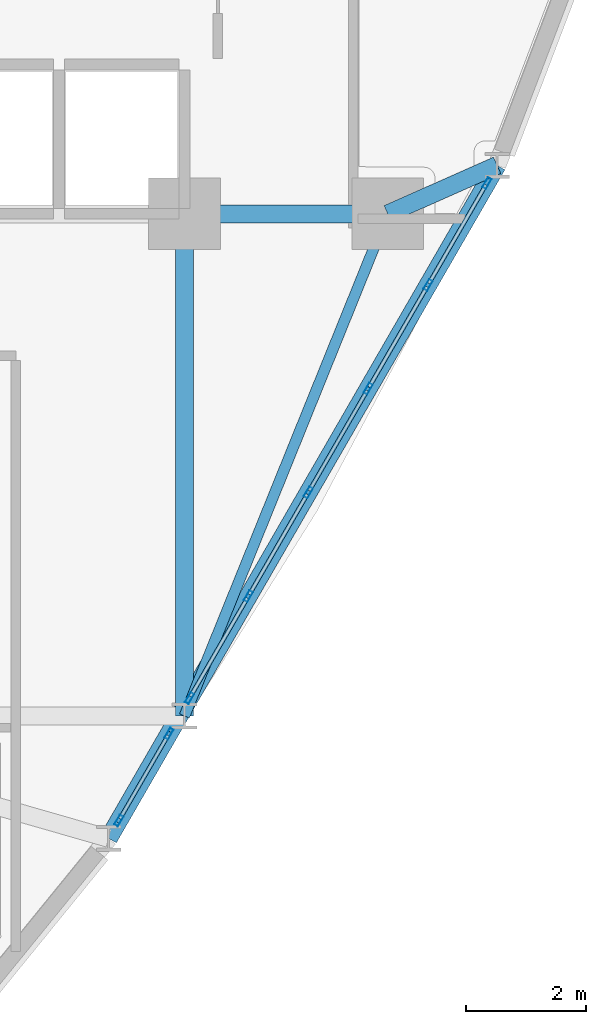
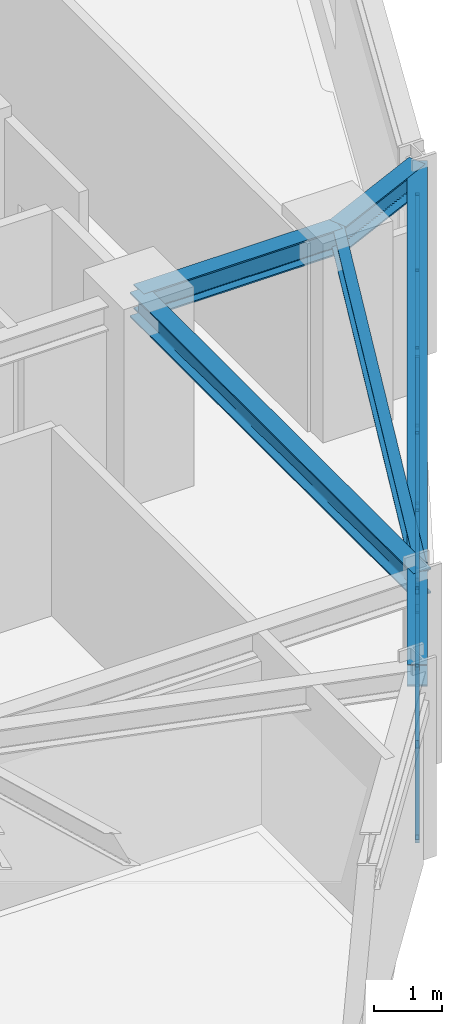
# One storey, part 6 of 15: 22 members, 5 beams, 2 elements without a shape of their own.
"""IFC4 building model written with IfcOpenShell, lengths in metres."""

import ifcopenshell
import ifcopenshell.guid

model = None  # the IFC model being written
_history = None  # IfcOwnerHistory: only IFC2X3 demands one
_inside = {}  # id of a spatial element -> (the spatial element, [elements in it])
_under = {}  # id of a project, library or spatial element -> (it, [spatial elements below it])
_declared = {}  # id of a project -> (the project, [libraries it declares])
_typed = {}  # id of a type object -> (the type object, [elements of that type])
_made_of = {}  # id of a material, layer set ... -> (it, [elements and type objects made of it])


def new_model(schema):
    """Start an empty IFC model of exactly this schema.

    Asked for "IFC4X3", IfcOpenShell would pick the latest addendum, in which some entities
    have other attributes; the version numbers below select the first issue.
    IFC2X3 requires an IfcOwnerHistory on every rooted entity: one is made here for all.
    """
    global model, _history
    if schema == "IFC4X3":
        model = ifcopenshell.file(schema_version=(4, 3, 0, 0))
    else:
        model = ifcopenshell.file(schema=schema)
    _inside.clear()
    _under.clear()
    _declared.clear()
    _typed.clear()
    _made_of.clear()
    _history = None
    if model.schema == "IFC2X3":
        org = make("IfcOrganization", Name="unknown")
        user = make(
            "IfcPersonAndOrganization",
            ThePerson=make("IfcPerson", FamilyName="unknown"),
            TheOrganization=org,
        )
        app = make(
            "IfcApplication",
            ApplicationDeveloper=org,
            Version="unknown",
            ApplicationFullName="unknown",
            ApplicationIdentifier="unknown",
        )
        _history = make(
            "IfcOwnerHistory",
            OwningUser=user,
            OwningApplication=app,
            ChangeAction="ADDED",
            CreationDate=0,
        )
    return model


def make(cls, **values):
    """One entity of the class cls with the attributes given. An attribute that is None is left unset."""
    return model.create_entity(
        cls, **{name: value for name, value in values.items() if value is not None}
    )


def rooted(cls, **values):
    """An entity with a GlobalId (a new one), such as an element, a storey or a relation."""
    return make(cls, GlobalId=ifcopenshell.guid.new(), OwnerHistory=_history, **values)


def si_unit(unit_type, name, prefix=None):
    """IfcSIUnit, for example si_unit("LENGTHUNIT", "METRE", prefix="MILLI")."""
    return make("IfcSIUnit", UnitType=unit_type, Prefix=prefix, Name=name)


def derived_unit(unit_type, elements):
    """IfcDerivedUnit: a product of units, each with its exponent."""
    return make(
        "IfcDerivedUnit",
        Elements=[
            make("IfcDerivedUnitElement", Unit=unit, Exponent=power)
            for unit, power in elements
        ],
        UnitType=unit_type,
    )


def assignment(units):
    """IfcUnitAssignment: the units of a project."""
    return None if units is None else make("IfcUnitAssignment", Units=units)


def point(xyz):
    """IfcCartesianPoint."""
    return None if xyz is None else make("IfcCartesianPoint", Coordinates=xyz)


def direction(xyz):
    """IfcDirection."""
    return None if xyz is None else make("IfcDirection", DirectionRatios=xyz)


def frame(location, z_axis=None, x_axis=None):
    """IfcAxis2Placement3D, a coordinate frame: its origin and axes. An axis left out is left unset."""
    return make(
        "IfcAxis2Placement3D",
        Location=point(location),
        Axis=direction(z_axis),
        RefDirection=direction(x_axis),
    )


def frame_2d(location, x_axis=None):
    """IfcAxis2Placement2D, a coordinate frame in the plane: its origin and x axis."""
    return make(
        "IfcAxis2Placement2D", Location=point(location), RefDirection=direction(x_axis)
    )


def origin():
    """The frame at (0, 0, 0) with its axes left unset."""
    return frame((0.0, 0.0, 0.0))


def origin_2d():
    """The frame at (0, 0) in the plane with its x axis left unset."""
    return frame_2d((0.0, 0.0))


def place(relative_to, where):
    """IfcLocalPlacement: puts the frame where relative to a parent placement (None: the world)."""
    return make(
        "IfcLocalPlacement", PlacementRelTo=relative_to, RelativePlacement=where
    )


def context(
    kind, dimensions, precision=None, world=None, true_north=None, identifier=None
):
    """IfcGeometricRepresentationContext, for example the 3D "Model" context."""
    return make(
        "IfcGeometricRepresentationContext",
        ContextIdentifier=identifier,
        ContextType=kind,
        CoordinateSpaceDimension=dimensions,
        Precision=precision,
        WorldCoordinateSystem=world,
        TrueNorth=true_north,
    )


def subcontext(parent, identifier, kind, view, scale=None):
    """IfcGeometricRepresentationSubContext, for example "Body" below "Model"."""
    return make(
        "IfcGeometricRepresentationSubContext",
        ContextIdentifier=identifier,
        ContextType=kind,
        ParentContext=parent,
        TargetScale=scale,
        TargetView=view,
    )


def project(units=None, contexts=None):
    """IfcProject with its units and contexts."""
    return rooted(
        "IfcProject",
        Name="project",
        RepresentationContexts=contexts,
        UnitsInContext=assignment(units),
    )


def spatial(cls, under=None, at=None, **own):
    """A site, building, storey or space (cls), placed at a placement, below another one or the project."""
    s = rooted(cls, ObjectPlacement=at, **own)
    if under is not None:
        _under.setdefault(under.id(), (under, []))[1].append(s)
    return s


def profile(cls, at=None, kind="AREA", **sizes):
    """A parametric profile (cls). Its sizes go by their IFC names, for example OverallWidth=200.0."""
    return make(cls, ProfileType=kind, Position=at, **sizes)


def hollow_rectangle(**sizes):
    """IfcRectangleHollowProfileDef."""
    return profile("IfcRectangleHollowProfileDef", **sizes)


def i_section(**sizes):
    """IfcIShapeProfileDef."""
    return profile("IfcIShapeProfileDef", **sizes)


def extrude(swept, where, along, depth):
    """IfcExtrudedAreaSolid: the profile swept, set in the frame where, extruded along a direction by depth."""
    return make(
        "IfcExtrudedAreaSolid",
        SweptArea=swept,
        Position=where,
        ExtrudedDirection=direction(along),
        Depth=depth,
    )


def shape(context_of_items, identifier, shape_type, items):
    """IfcShapeRepresentation: the items that make up one representation, for example the "Body"."""
    return make(
        "IfcShapeRepresentation",
        ContextOfItems=context_of_items,
        RepresentationIdentifier=identifier,
        RepresentationType=shape_type,
        Items=items,
    )


def source(mapping_origin, context_of_items, identifier, shape_type, items):
    """IfcRepresentationMap: a shape defined once, which mapped items show again and again."""
    return make(
        "IfcRepresentationMap",
        MappingOrigin=mapping_origin,
        MappedRepresentation=shape(context_of_items, identifier, shape_type, items),
    )


def transform(
    local_origin,
    x_axis=None,
    y_axis=None,
    z_axis=None,
    scale=None,
    scale2=None,
    scale3=None,
    uniform=True,
):
    """IfcCartesianTransformationOperator3D, or its non-uniform kind. x_axis, y_axis, z_axis: its Axis1, 2, 3."""
    if uniform:
        return make(
            "IfcCartesianTransformationOperator3D",
            Axis1=direction(x_axis),
            Axis2=direction(y_axis),
            LocalOrigin=point(local_origin),
            Scale=scale,
            Axis3=direction(z_axis),
        )
    return make(
        "IfcCartesianTransformationOperator3DnonUniform",
        Axis1=direction(x_axis),
        Axis2=direction(y_axis),
        LocalOrigin=point(local_origin),
        Scale=scale,
        Axis3=direction(z_axis),
        Scale2=scale2,
        Scale3=scale3,
    )


def mapped(mapping_source, mapping_target):
    """IfcMappedItem: shows the shape of a source again, moved by a transform."""
    return make(
        "IfcMappedItem", MappingSource=mapping_source, MappingTarget=mapping_target
    )


def material(Name=None, Category=None):
    """IfcMaterial."""
    return make("IfcMaterial", Name=Name, Category=Category)


def layer(
    of_material, thickness, ventilated=None, Name=None, Category=None, Priority=None
):
    """IfcMaterialLayer: one layer of a wall or slab, of a material (None: an air gap)."""
    return make(
        "IfcMaterialLayer",
        Material=of_material,
        LayerThickness=thickness,
        IsVentilated=ventilated,
        Name=Name,
        Category=Category,
        Priority=Priority,
    )


def layer_set(layers, Name=None):
    """IfcMaterialLayerSet."""
    return make("IfcMaterialLayerSet", MaterialLayers=layers, LayerSetName=Name)


def material_profile(
    of_material, cross_section, Name=None, Category=None, Priority=None
):
    """IfcMaterialProfile: a cross section and its material."""
    return make(
        "IfcMaterialProfile",
        Name=Name,
        Material=of_material,
        Profile=cross_section,
        Priority=Priority,
        Category=Category,
    )


def profile_set(profiles, Name=None, composite=None):
    """IfcMaterialProfileSet."""
    return make(
        "IfcMaterialProfileSet",
        Name=Name,
        MaterialProfiles=profiles,
        CompositeProfile=composite,
    )


def made_of(thing, what):
    """Note that an element or type object is made of a material, layer set ...; save() writes the relation."""
    if what is not None:
        _made_of.setdefault(what.id(), (what, []))[1].append(thing)
    return thing


def type_object(cls, material=None, **own):
    """A type object (cls), such as IfcWallType, which elements share."""
    return made_of(rooted(cls, **own), material)


def element(
    cls,
    number,
    at=None,
    inside=None,
    cuts=None,
    type_object=None,
    material=None,
    context=None,
    identifier="Body",
    shape_type=None,
    held_by="IfcProductDefinitionShape",
    body=None,
    shapes=None,
    **own,
):
    """One element of the class cls, such as IfcWall. Its Tag is "e" and its number.

    at: its placement. inside: the storey or other place that contains it. cuts: it is an
    opening in that element (IfcRelVoidsElement). A single representation is given by context,
    identifier, shape_type and body (its items); several are given by shapes. held_by: the class
    of the entity that holds the representations. save() writes the other relations.
    """
    e = rooted(cls, Tag="e%d" % number, ObjectPlacement=at, **own)
    if body is not None:
        shapes = [shape(context, identifier, shape_type, body)]
    if shapes is not None:
        e.Representation = make(held_by, Representations=shapes)
    if inside is not None:
        _inside.setdefault(inside.id(), (inside, []))[1].append(e)
    if cuts is not None:
        rooted(
            "IfcRelVoidsElement", RelatingBuildingElement=cuts, RelatedOpeningElement=e
        )
    if type_object is not None:
        _typed.setdefault(type_object.id(), (type_object, []))[1].append(e)
    return made_of(e, material)


def aggregate(whole, parts):
    """IfcRelAggregates: a whole, such as a stair, and the parts it consists of."""
    return rooted("IfcRelAggregates", RelatingObject=whole, RelatedObjects=parts)


def save(model, path):
    """Write the relations noted so far, then the file.

    IfcRelAggregates (storeys below a building ...), IfcRelContainedInSpatialStructure (elements
    in a storey), IfcRelDefinesByType, IfcRelAssociatesMaterial and IfcRelDeclares: one each for
    every whole, place, type object, material and project.
    """
    for whole, parts in _under.values():
        aggregate(whole, parts)
    for where, things in _inside.values():
        rooted(
            "IfcRelContainedInSpatialStructure",
            RelatedElements=things,
            RelatingStructure=where,
        )
    for kind, things in _typed.values():
        rooted("IfcRelDefinesByType", RelatedObjects=things, RelatingType=kind)
    for what, things in _made_of.values():
        rooted("IfcRelAssociatesMaterial", RelatedObjects=things, RelatingMaterial=what)
    for by, libraries in _declared.values():
        rooted("IfcRelDeclares", RelatingContext=by, RelatedDefinitions=libraries)
    model.write(path)


model = new_model("IFC4")

# Units and contexts
model_context = context("Model", 3, precision=1e-05, world=origin(), true_north=direction((0.0, 1.0)))
body_context = subcontext(model_context, "Body", "Model", "MODEL_VIEW")
ifc_project = project(units=[si_unit("LENGTHUNIT", "METRE"), si_unit("AREAUNIT", "SQUARE_METRE"), si_unit("VOLUMEUNIT", "CUBIC_METRE"), si_unit("PLANEANGLEUNIT", "RADIAN"), si_unit("MASSUNIT", "GRAM", prefix="KILO"), derived_unit("THERMALTRANSMITTANCEUNIT", [(si_unit("POWERUNIT", "WATT"), 1), (si_unit("LENGTHUNIT", "METRE"), -2), (si_unit("THERMODYNAMICTEMPERATUREUNIT", "KELVIN"), -1)])], contexts=[model_context])

# Site, building, storey
site_placement = place(None, origin())
site = spatial("IfcSite", under=ifc_project, at=site_placement, CompositionType="ELEMENT")
building_placement = place(site_placement, origin())
building = spatial("IfcBuilding", under=site, at=building_placement, Name="Korsvarv Bourse and Concert Hall", CompositionType="ELEMENT")
storey_placement = place(building_placement, frame((0.0, 0.0, 147.0)))
storey = spatial("IfcBuildingStorey", under=building, at=storey_placement, Name="L37", CompositionType="ELEMENT", Elevation=147.0)

# Beams
ifc_material_1 = material(Name="Steel S355", Category="steel")
ifc_material_profile_1 = material_profile(ifc_material_1, i_section(OverallWidth=0.179931640625, OverallDepth=0.39990234375, WebThickness=0.008544921875, FlangeThickness=0.013427734375, FilletRadius=0.02099609375, at=origin_2d()), Name="IPE 400")
ifc_profile_set_1 = profile_set([ifc_material_profile_1], Name="Steel S355")
beam_type_1 = type_object("IfcBeamType", Name="BM-IPE400", PredefinedType="JOIST", material=ifc_profile_set_1)
shared_shape_1 = source(origin(), body_context, "Body", "SweptSolid", [
    extrude(i_section(OverallWidth=0.179931640625, OverallDepth=0.39990234375, WebThickness=0.008544921875, FlangeThickness=0.013427734375, FilletRadius=0.02099609375, at=origin_2d()), origin(), (0.0, 0.0, 1.0), 9.06201171875),
])
beam_1_placement = place(storey_placement, frame((47.800048828125, 32.39990234375, 3.199951171875), z_axis=(-0.375210394783, -0.926939674222, 0.0), x_axis=(0.926939674222, -0.375210394783, 0.0)))
element("IfcBeam", 1, at=beam_1_placement, inside=storey, type_object=beam_type_1, Name="L37 beam J-05", PredefinedType="JOIST", context=body_context, shape_type="MappedRepresentation", body=[
    mapped(shared_shape_1, transform((0.0, 0.0, 0.0), scale=1.0)),
])
ifc_material_profile_2 = material_profile(ifc_material_1, i_section(OverallWidth=0.300048828125, OverallDepth=0.449951171875, WebThickness=0.013916015625, FlangeThickness=0.02587890625, FilletRadius=0.02099609375, at=origin_2d()), Name="HEB 450")
ifc_profile_set_2 = profile_set([ifc_material_profile_2], Name="Steel S355")
beam_type_2 = type_object("IfcBeamType", Name="BM-HEB450", PredefinedType="SPANDREL", material=ifc_profile_set_2)
shared_shape_2 = source(origin(), body_context, "Body", "SweptSolid", [
    extrude(i_section(OverallWidth=0.300048828125, OverallDepth=0.449951171875, WebThickness=0.013916015625, FlangeThickness=0.02587890625, FilletRadius=0.02099609375, at=origin_2d()), origin(), (0.0, 0.0, 1.0), 3.400146484375),
])
beam_2_placement = place(storey_placement, frame((44.39990234375, 32.39990234375, 3.175048828125), z_axis=(1.0, 0.0, 0.0), x_axis=(0.0, 1.0, 0.0)))
element("IfcBeam", 2, at=beam_2_placement, inside=storey, type_object=beam_type_2, Name="L37 beam B-08", PredefinedType="SPANDREL", context=body_context, shape_type="MappedRepresentation", body=[
    mapped(shared_shape_2, transform((0.0, 0.0, 0.0), scale=1.0)),
])
shared_shape_3 = source(origin(), body_context, "Body", "SweptSolid", [
    extrude(i_section(OverallWidth=0.300048828125, OverallDepth=0.449951171875, WebThickness=0.013916015625, FlangeThickness=0.02587890625, FilletRadius=0.02099609375, at=origin_2d()), origin(), (0.0, 0.0, 1.0), 8.39990234375),
])
beam_3_placement = place(storey_placement, frame((44.39990234375, 24.0, 3.175048828125), z_axis=(0.0, 1.0, 0.0), x_axis=(-1.0, 0.0, 0.0)))
element("IfcBeam", 3, at=beam_3_placement, inside=storey, type_object=beam_type_2, Name="L37 beam B-08", PredefinedType="SPANDREL", context=body_context, shape_type="MappedRepresentation", body=[
    mapped(shared_shape_3, transform((0.0, 0.0, 0.0), scale=1.0)),
])
ifc_material_profile_3 = material_profile(ifc_material_1, i_section(OverallWidth=0.300048828125, OverallDepth=0.39990234375, WebThickness=0.013427734375, FlangeThickness=0.02392578125, FilletRadius=0.02099609375, at=origin_2d()), Name="HEB 400")
ifc_profile_set_3 = profile_set([ifc_material_profile_3], Name="Steel S355")
beam_type_3 = type_object("IfcBeamType", Name="BM-HEB400", PredefinedType="SPANDREL", material=ifc_profile_set_3)
shared_shape_4 = source(origin(), body_context, "Body", "SweptSolid", [
    extrude(i_section(OverallWidth=0.300048828125, OverallDepth=0.39990234375, WebThickness=0.013427734375, FlangeThickness=0.02392578125, FilletRadius=0.02099609375, at=origin_2d()), origin(), (0.0, 0.0, 1.0), 13.001708984375),
])
beam_4_placement = place(storey_placement, frame((43.13037109375, 21.951904296875, 3.199951171875), z_axis=(0.499994445327, 0.866028610752, 0.0), x_axis=(-0.866028610752, 0.499994445327, 0.0)))
element("IfcBeam", 4, at=beam_4_placement, inside=storey, type_object=beam_type_3, Name="L37 beam B-09", PredefinedType="SPANDREL", context=body_context, shape_type="MappedRepresentation", body=[
    mapped(shared_shape_4, transform((0.0, 0.0, 0.0), scale=1.0)),
])
shared_shape_5 = source(origin(), body_context, "Body", "SweptSolid", [
    extrude(i_section(OverallWidth=0.300048828125, OverallDepth=0.449951171875, WebThickness=0.013916015625, FlangeThickness=0.02587890625, FilletRadius=0.02099609375, at=origin_2d()), origin(), (0.0, 0.0, 1.0), 2.0029296875),
])
beam_5_placement = place(storey_placement, frame((49.631103515625, 33.211669921875, 3.175048828125), z_axis=(-0.914188139756, -0.405290075292, 0.0), x_axis=(0.405290075292, -0.914188139756, 0.0)))
element("IfcBeam", 5, at=beam_5_placement, inside=storey, type_object=beam_type_2, Name="L37 beam B-08", PredefinedType="SPANDREL", context=body_context, shape_type="MappedRepresentation", body=[
    mapped(shared_shape_5, transform((0.0, 0.0, 0.0), scale=1.0)),
])

# Curtain wall, members
ifc_material_2 = material(Name="Anodised aluminium and triple low-E glazing", Category="glass")
ifc_layer = layer(ifc_material_2, 0.2099609375)
ifc_layer_set = layer_set([ifc_layer], Name="Anodised aluminium and triple low-E glazing")
curtain_wall_type = type_object("IfcCurtainWallType", Name="CW-SYS-2", PredefinedType="NOTDEFINED", material=ifc_layer_set)
curtain_wall_1_placement = place(storey_placement, origin())
curtain_wall_1 = element("IfcCurtainWall", 6, at=curtain_wall_1_placement, inside=storey, type_object=curtain_wall_type, Name="L37 CW2 curtain wall CW-L37-F11-1", PredefinedType="NOTDEFINED")
ifc_material_3 = material(Name="Extruded aluminium EN AW-6063 T66", Category="aluminium")
ifc_material_profile_4 = material_profile(ifc_material_3, hollow_rectangle(XDim=0.070068359375, YDim=0.18994140625, WallThickness=0.0048828125, at=origin_2d()), Name="ALU-M 70x190")
ifc_profile_set_4 = profile_set([ifc_material_profile_4], Name="Extruded aluminium EN AW-6063 T66")
member_type_1 = type_object("IfcMemberType", Name="CWM-190", PredefinedType="MULLION", material=ifc_profile_set_4)
shared_shape_6 = source(origin(), body_context, "Body", "SweptSolid", [
    extrude(hollow_rectangle(XDim=0.070068359375, YDim=0.18994140625, WallThickness=0.0048828125, at=origin_2d()), origin(), (0.0, 0.0, 1.0), 3.0),
])
member_1_placement = place(storey_placement, frame((43.30224609375, 22.249755859375, 0.0), z_axis=(0.0, 0.0, 1.0), x_axis=(-0.866022601331, 0.500004853961, 0.0)))
member_1 = element("IfcMember", 7, at=member_1_placement, type_object=member_type_1, Name="CW2 mullion 1", PredefinedType="MULLION", context=body_context, shape_type="MappedRepresentation", body=[
    mapped(shared_shape_6, transform((0.0, 0.0, 0.0), scale=1.0)),
])
member_2_placement = place(storey_placement, frame((44.140869140625, 23.7021484375, 0.0), z_axis=(0.0, 0.0, 1.0), x_axis=(-0.866022601331, 0.500004853961, 0.0)))
member_2 = element("IfcMember", 8, at=member_2_placement, type_object=member_type_1, Name="CW2 mullion 2", PredefinedType="MULLION", context=body_context, shape_type="MappedRepresentation", body=[
    mapped(shared_shape_6, transform((0.0, 0.0, 0.0), scale=1.0)),
])

curtain_wall_2_placement = place(storey_placement, origin())
curtain_wall_2 = element("IfcCurtainWall", 9, at=curtain_wall_2_placement, inside=storey, type_object=curtain_wall_type, Name="L37 CW2 curtain wall CW-L37-F11-2", PredefinedType="NOTDEFINED")
member_3_placement = place(storey_placement, frame((44.48486328125, 24.2978515625, 0.0), z_axis=(0.0, 0.0, 1.0), x_axis=(-0.866022695876, 0.500004690206, 0.0)))
member_3 = element("IfcMember", 10, at=member_3_placement, type_object=member_type_1, Name="CW2 mullion 1", PredefinedType="MULLION", context=body_context, shape_type="MappedRepresentation", body=[
    mapped(shared_shape_6, transform((0.0, 0.0, 0.0), scale=1.0)),
])
member_4_placement = place(storey_placement, frame((45.46923828125, 26.0029296875, 0.0), z_axis=(0.0, 0.0, 1.0), x_axis=(-0.866022695876, 0.500004690206, 0.0)))
member_4 = element("IfcMember", 11, at=member_4_placement, type_object=member_type_1, Name="CW2 mullion 2", PredefinedType="MULLION", context=body_context, shape_type="MappedRepresentation", body=[
    mapped(shared_shape_6, transform((0.0, 0.0, 0.0), scale=1.0)),
])
member_5_placement = place(storey_placement, frame((46.47119140625, 27.738037109375, 0.0), z_axis=(0.0, 0.0, 1.0), x_axis=(-0.866022695876, 0.500004690206, 0.0)))
member_5 = element("IfcMember", 12, at=member_5_placement, type_object=member_type_1, Name="CW2 mullion 3", PredefinedType="MULLION", context=body_context, shape_type="MappedRepresentation", body=[
    mapped(shared_shape_6, transform((0.0, 0.0, 0.0), scale=1.0)),
])
member_6_placement = place(storey_placement, frame((47.472900390625, 29.473388671875, 0.0), z_axis=(0.0, 0.0, 1.0), x_axis=(-0.866022695876, 0.500004690206, 0.0)))
member_6 = element("IfcMember", 13, at=member_6_placement, type_object=member_type_1, Name="CW2 mullion 4", PredefinedType="MULLION", context=body_context, shape_type="MappedRepresentation", body=[
    mapped(shared_shape_6, transform((0.0, 0.0, 0.0), scale=1.0)),
])
member_7_placement = place(storey_placement, frame((48.474853515625, 31.208740234375, 0.0), z_axis=(0.0, 0.0, 1.0), x_axis=(-0.866022695876, 0.500004690206, 0.0)))
member_7 = element("IfcMember", 14, at=member_7_placement, type_object=member_type_1, Name="CW2 mullion 5", PredefinedType="MULLION", context=body_context, shape_type="MappedRepresentation", body=[
    mapped(shared_shape_6, transform((0.0, 0.0, 0.0), scale=1.0)),
])
member_8_placement = place(storey_placement, frame((49.459228515625, 32.913818359375, 0.0), z_axis=(0.0, 0.0, 1.0), x_axis=(-0.866022695876, 0.500004690206, 0.0)))
member_8 = element("IfcMember", 15, at=member_8_placement, type_object=member_type_1, Name="CW2 mullion 6", PredefinedType="MULLION", context=body_context, shape_type="MappedRepresentation", body=[
    mapped(shared_shape_6, transform((0.0, 0.0, 0.0), scale=1.0)),
])
ifc_material_profile_5 = material_profile(ifc_material_3, hollow_rectangle(XDim=0.06494140625, YDim=0.139892578125, WallThickness=0.00390625, at=origin_2d()), Name="ALU-T 65x140")
ifc_profile_set_5 = profile_set([ifc_material_profile_5], Name="Extruded aluminium EN AW-6063 T66")
member_type_2 = type_object("IfcMemberType", Name="CWT-140", PredefinedType="USERDEFINED", material=ifc_profile_set_5)
shared_shape_7 = source(origin(), body_context, "Body", "SweptSolid", [
    extrude(hollow_rectangle(XDim=0.06494140625, YDim=0.139892578125, WallThickness=0.00390625, at=origin_2d()), origin(), (0.0, 0.0, 1.0), 1.898681640625),
])
member_9_placement = place(storey_placement, frame((44.502197265625, 24.328125, 0.032470703125), z_axis=(0.500052647041, 0.865995005868, 0.0), x_axis=(-0.865995005868, 0.500052647041, 0.0)))
member_9 = element("IfcMember", 16, at=member_9_placement, type_object=member_type_2, Name="CW2 transom 1.1", ObjectType="TRANSOM", PredefinedType="USERDEFINED", context=body_context, shape_type="MappedRepresentation", body=[
    mapped(shared_shape_7, transform((0.0, 0.0, 0.0), scale=1.0)),
])
member_10_placement = place(storey_placement, frame((44.502197265625, 24.328125, 2.967529296875), z_axis=(0.500052647041, 0.865995005868, 0.0), x_axis=(-0.865995005868, 0.500052647041, 0.0)))
member_10 = element("IfcMember", 17, at=member_10_placement, type_object=member_type_2, Name="CW2 transom 1.2", ObjectType="TRANSOM", PredefinedType="USERDEFINED", context=body_context, shape_type="MappedRepresentation", body=[
    mapped(shared_shape_7, transform((0.0, 0.0, 0.0), scale=1.0)),
])
shared_shape_8 = source(origin(), body_context, "Body", "SweptSolid", [
    extrude(hollow_rectangle(XDim=0.06494140625, YDim=0.139892578125, WallThickness=0.00390625, at=origin_2d()), origin(), (0.0, 0.0, 1.0), 1.89892578125),
])
member_11_placement = place(storey_placement, frame((48.492431640625, 31.239013671875, 0.032470703125), z_axis=(0.499996970966, 0.866027152591, 0.0), x_axis=(-0.866027152591, 0.499996970966, 0.0)))
member_11 = element("IfcMember", 18, at=member_11_placement, type_object=member_type_2, Name="CW2 transom 5.1", ObjectType="TRANSOM", PredefinedType="USERDEFINED", context=body_context, shape_type="MappedRepresentation", body=[
    mapped(shared_shape_8, transform((0.0, 0.0, 0.0), scale=1.0)),
])
member_12_placement = place(storey_placement, frame((48.492431640625, 31.239013671875, 2.967529296875), z_axis=(0.499996970966, 0.866027152591, 0.0), x_axis=(-0.866027152591, 0.499996970966, 0.0)))
member_12 = element("IfcMember", 19, at=member_12_placement, type_object=member_type_2, Name="CW2 transom 5.2", ObjectType="TRANSOM", PredefinedType="USERDEFINED", context=body_context, shape_type="MappedRepresentation", body=[
    mapped(shared_shape_8, transform((0.0, 0.0, 0.0), scale=1.0)),
])

# Member
shared_shape_9 = source(origin(), body_context, "Body", "SweptSolid", [
    extrude(hollow_rectangle(XDim=0.06494140625, YDim=0.139892578125, WallThickness=0.00390625, at=origin_2d()), origin(), (0.0, 0.0, 1.0), 1.607177734375),
])
member_13_placement = place(storey_placement, frame((43.31982421875, 22.280029296875, 0.032470703125), z_axis=(0.499946007064, 0.866056574376, 0.0), x_axis=(-0.866056574376, 0.499946007064, 0.0)))
member_13 = element("IfcMember", 20, at=member_13_placement, type_object=member_type_2, Name="CW2 transom 1.1", ObjectType="TRANSOM", PredefinedType="USERDEFINED", context=body_context, shape_type="MappedRepresentation", body=[
    mapped(shared_shape_9, transform((0.0, 0.0, 0.0), scale=1.0)),
])

member_14_placement = place(storey_placement, frame((43.31982421875, 22.280029296875, 2.967529296875), z_axis=(0.499946007064, 0.866056574376, 0.0), x_axis=(-0.866056574376, 0.499946007064, 0.0)))
member_14 = element("IfcMember", 21, at=member_14_placement, type_object=member_type_2, Name="CW2 transom 1.2", ObjectType="TRANSOM", PredefinedType="USERDEFINED", context=body_context, shape_type="MappedRepresentation", body=[
    mapped(shared_shape_9, transform((0.0, 0.0, 0.0), scale=1.0)),
])

ifc_material_profile_6 = material_profile(ifc_material_3, hollow_rectangle(XDim=0.06494140625, YDim=0.1650390625, WallThickness=0.0048828125, at=origin_2d()), Name="ALU-M 65x165")
ifc_profile_set_6 = profile_set([ifc_material_profile_6], Name="Extruded aluminium EN AW-6063 T66")
member_type_3 = type_object("IfcMemberType", Name="CWM-165", PredefinedType="MULLION", material=ifc_profile_set_6)
shared_shape_10 = source(origin(), body_context, "Body", "SweptSolid", [
    extrude(hollow_rectangle(XDim=0.06494140625, YDim=0.1650390625, WallThickness=0.0048828125, at=origin_2d()), origin(), (0.0, 0.0, 1.0), 3.28955078125),
])
member_15_placement = place(storey_placement, frame((43.31982421875, 22.280029296875, 0.06494140625), z_axis=(0.244256966007, 0.423126394168, 0.872526554963), x_axis=(-0.866056574376, 0.499946007064, 0.0)))
member_15 = element("IfcMember", 22, at=member_15_placement, type_object=member_type_3, Name="CW2 diagonal mullion 1", PredefinedType="MULLION", context=body_context, shape_type="MappedRepresentation", body=[
    mapped(shared_shape_10, transform((0.0, 0.0, 0.0), scale=1.0)),
])

aggregate(curtain_wall_1, [member_1, member_2, member_13, member_14, member_15])

shared_shape_11 = source(origin(), body_context, "Body", "SweptSolid", [
    extrude(hollow_rectangle(XDim=0.06494140625, YDim=0.139892578125, WallThickness=0.00390625, at=origin_2d()), origin(), (0.0, 0.0, 1.0), 1.93359375),
])
member_16_placement = place(storey_placement, frame((45.48681640625, 26.033203125, 0.032470703125), z_axis=(0.499995691662, 0.86602789119, 0.0), x_axis=(-0.86602789119, 0.499995691662, 0.0)))
member_16 = element("IfcMember", 23, at=member_16_placement, type_object=member_type_2, Name="CW2 transom 2.1", ObjectType="TRANSOM", PredefinedType="USERDEFINED", context=body_context, shape_type="MappedRepresentation", body=[
    mapped(shared_shape_11, transform((0.0, 0.0, 0.0), scale=1.0)),
])

member_17_placement = place(storey_placement, frame((45.48681640625, 26.033203125, 2.967529296875), z_axis=(0.499995691662, 0.86602789119, 0.0), x_axis=(-0.86602789119, 0.499995691662, 0.0)))
member_17 = element("IfcMember", 24, at=member_17_placement, type_object=member_type_2, Name="CW2 transom 2.2", ObjectType="TRANSOM", PredefinedType="USERDEFINED", context=body_context, shape_type="MappedRepresentation", body=[
    mapped(shared_shape_11, transform((0.0, 0.0, 0.0), scale=1.0)),
])

shared_shape_12 = source(origin(), body_context, "Body", "SweptSolid", [
    extrude(hollow_rectangle(XDim=0.06494140625, YDim=0.139892578125, WallThickness=0.00390625, at=origin_2d()), origin(), (0.0, 0.0, 1.0), 1.933837890625),
])
member_18_placement = place(storey_placement, frame((46.488525390625, 27.7685546875, 0.032470703125), z_axis=(0.500090379393, 0.865973216929, 0.0), x_axis=(-0.865973216929, 0.500090379393, 0.0)))
member_18 = element("IfcMember", 25, at=member_18_placement, type_object=member_type_2, Name="CW2 transom 3.1", ObjectType="TRANSOM", PredefinedType="USERDEFINED", context=body_context, shape_type="MappedRepresentation", body=[
    mapped(shared_shape_12, transform((0.0, 0.0, 0.0), scale=1.0)),
])

member_19_placement = place(storey_placement, frame((46.488525390625, 27.7685546875, 2.967529296875), z_axis=(0.500090379393, 0.865973216929, 0.0), x_axis=(-0.865973216929, 0.500090379393, 0.0)))
member_19 = element("IfcMember", 26, at=member_19_placement, type_object=member_type_2, Name="CW2 transom 3.2", ObjectType="TRANSOM", PredefinedType="USERDEFINED", context=body_context, shape_type="MappedRepresentation", body=[
    mapped(shared_shape_12, transform((0.0, 0.0, 0.0), scale=1.0)),
])

member_20_placement = place(storey_placement, frame((47.490478515625, 29.503662109375, 0.032470703125), z_axis=(0.500035708388, 0.866004786555, 0.0), x_axis=(-0.866004786555, 0.500035708388, 0.0)))
member_20 = element("IfcMember", 27, at=member_20_placement, type_object=member_type_2, Name="CW2 transom 4.1", ObjectType="TRANSOM", PredefinedType="USERDEFINED", context=body_context, shape_type="MappedRepresentation", body=[
    mapped(shared_shape_12, transform((0.0, 0.0, 0.0), scale=1.0)),
])

member_21_placement = place(storey_placement, frame((47.490478515625, 29.503662109375, 2.967529296875), z_axis=(0.500035708388, 0.866004786555, 0.0), x_axis=(-0.866004786555, 0.500035708388, 0.0)))
member_21 = element("IfcMember", 28, at=member_21_placement, type_object=member_type_2, Name="CW2 transom 4.2", ObjectType="TRANSOM", PredefinedType="USERDEFINED", context=body_context, shape_type="MappedRepresentation", body=[
    mapped(shared_shape_12, transform((0.0, 0.0, 0.0), scale=1.0)),
])

shared_shape_13 = source(origin(), body_context, "Body", "SweptSolid", [
    extrude(hollow_rectangle(XDim=0.06494140625, YDim=0.1650390625, WallThickness=0.0048828125, at=origin_2d()), origin(), (0.0, 0.0, 1.0), 3.460693359375),
])
member_22_placement = place(storey_placement, frame((46.488525390625, 27.7685546875, 0.06494140625), z_axis=(0.279429845808, 0.483870061196, 0.829330287129), x_axis=(-0.865973216929, 0.500090379393, 0.0)))
member_22 = element("IfcMember", 29, at=member_22_placement, type_object=member_type_3, Name="CW2 diagonal mullion 3", PredefinedType="MULLION", context=body_context, shape_type="MappedRepresentation", body=[
    mapped(shared_shape_13, transform((0.0, 0.0, 0.0), scale=1.0)),
])

aggregate(curtain_wall_2, [member_3, member_4, member_5, member_6, member_7, member_8, member_9, member_10, member_16, member_17, member_18, member_19, member_22, member_20, member_21, member_11, member_12])

save(model, "model.ifc")
